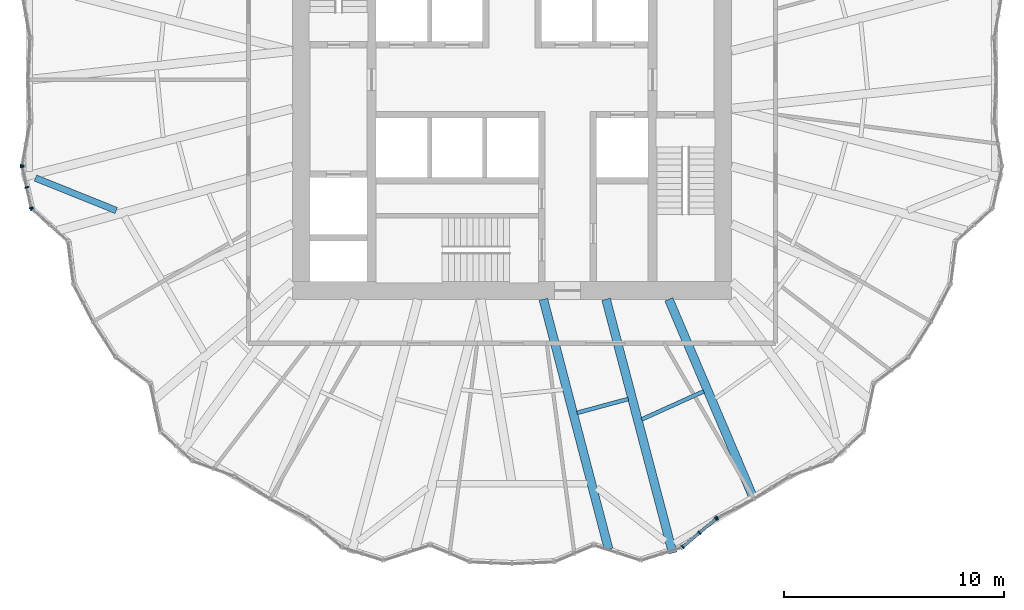
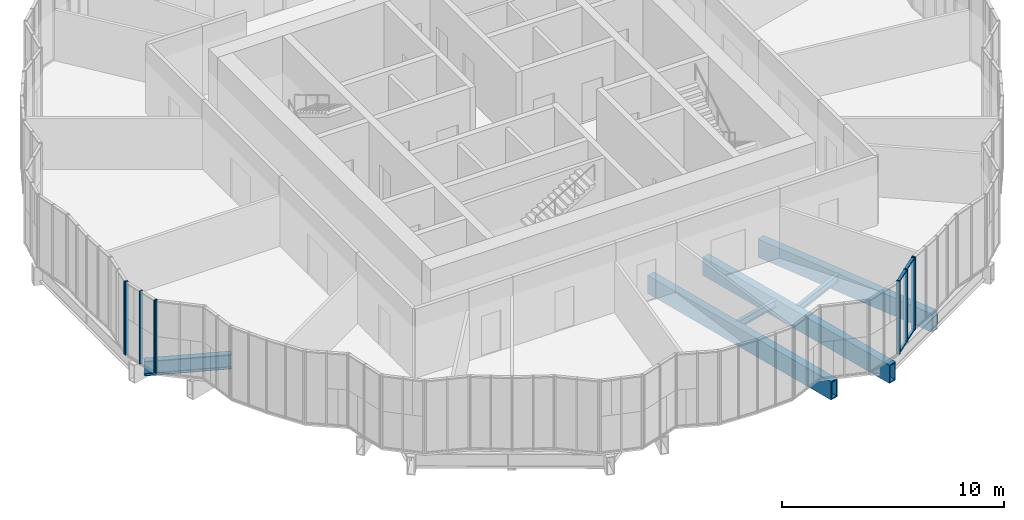
# One storey, part 3 of 23: 13 members, 6 beams, 5 elements without a shape of their own.
"""IFC4 building model written with IfcOpenShell, lengths in metres."""

import ifcopenshell
import ifcopenshell.guid

model = None  # the IFC model being written
_history = None  # IfcOwnerHistory: only IFC2X3 demands one
_inside = {}  # id of a spatial element -> (the spatial element, [elements in it])
_under = {}  # id of a project, library or spatial element -> (it, [spatial elements below it])
_declared = {}  # id of a project -> (the project, [libraries it declares])
_typed = {}  # id of a type object -> (the type object, [elements of that type])
_made_of = {}  # id of a material, layer set ... -> (it, [elements and type objects made of it])


def new_model(schema):
    """Start an empty IFC model of exactly this schema.

    Asked for "IFC4X3", IfcOpenShell would pick the latest addendum, in which some entities
    have other attributes; the version numbers below select the first issue.
    IFC2X3 requires an IfcOwnerHistory on every rooted entity: one is made here for all.
    """
    global model, _history
    if schema == "IFC4X3":
        model = ifcopenshell.file(schema_version=(4, 3, 0, 0))
    else:
        model = ifcopenshell.file(schema=schema)
    _inside.clear()
    _under.clear()
    _declared.clear()
    _typed.clear()
    _made_of.clear()
    _history = None
    if model.schema == "IFC2X3":
        org = make("IfcOrganization", Name="unknown")
        user = make(
            "IfcPersonAndOrganization",
            ThePerson=make("IfcPerson", FamilyName="unknown"),
            TheOrganization=org,
        )
        app = make(
            "IfcApplication",
            ApplicationDeveloper=org,
            Version="unknown",
            ApplicationFullName="unknown",
            ApplicationIdentifier="unknown",
        )
        _history = make(
            "IfcOwnerHistory",
            OwningUser=user,
            OwningApplication=app,
            ChangeAction="ADDED",
            CreationDate=0,
        )
    return model


def make(cls, **values):
    """One entity of the class cls with the attributes given. An attribute that is None is left unset."""
    return model.create_entity(
        cls, **{name: value for name, value in values.items() if value is not None}
    )


def rooted(cls, **values):
    """An entity with a GlobalId (a new one), such as an element, a storey or a relation."""
    return make(cls, GlobalId=ifcopenshell.guid.new(), OwnerHistory=_history, **values)


def si_unit(unit_type, name, prefix=None):
    """IfcSIUnit, for example si_unit("LENGTHUNIT", "METRE", prefix="MILLI")."""
    return make("IfcSIUnit", UnitType=unit_type, Prefix=prefix, Name=name)


def assignment(units):
    """IfcUnitAssignment: the units of a project."""
    return None if units is None else make("IfcUnitAssignment", Units=units)


def point(xyz):
    """IfcCartesianPoint."""
    return None if xyz is None else make("IfcCartesianPoint", Coordinates=xyz)


def direction(xyz):
    """IfcDirection."""
    return None if xyz is None else make("IfcDirection", DirectionRatios=xyz)


def frame(location, z_axis=None, x_axis=None):
    """IfcAxis2Placement3D, a coordinate frame: its origin and axes. An axis left out is left unset."""
    return make(
        "IfcAxis2Placement3D",
        Location=point(location),
        Axis=direction(z_axis),
        RefDirection=direction(x_axis),
    )


def frame_2d(location, x_axis=None):
    """IfcAxis2Placement2D, a coordinate frame in the plane: its origin and x axis."""
    return make(
        "IfcAxis2Placement2D", Location=point(location), RefDirection=direction(x_axis)
    )


def origin():
    """The frame at (0, 0, 0) with its axes left unset."""
    return frame((0.0, 0.0, 0.0))


def origin_2d():
    """The frame at (0, 0) in the plane with its x axis left unset."""
    return frame_2d((0.0, 0.0))


def place(relative_to, where):
    """IfcLocalPlacement: puts the frame where relative to a parent placement (None: the world)."""
    return make(
        "IfcLocalPlacement", PlacementRelTo=relative_to, RelativePlacement=where
    )


def context(
    kind, dimensions, precision=None, world=None, true_north=None, identifier=None
):
    """IfcGeometricRepresentationContext, for example the 3D "Model" context."""
    return make(
        "IfcGeometricRepresentationContext",
        ContextIdentifier=identifier,
        ContextType=kind,
        CoordinateSpaceDimension=dimensions,
        Precision=precision,
        WorldCoordinateSystem=world,
        TrueNorth=true_north,
    )


def subcontext(parent, identifier, kind, view, scale=None):
    """IfcGeometricRepresentationSubContext, for example "Body" below "Model"."""
    return make(
        "IfcGeometricRepresentationSubContext",
        ContextIdentifier=identifier,
        ContextType=kind,
        ParentContext=parent,
        TargetScale=scale,
        TargetView=view,
    )


def project(units=None, contexts=None):
    """IfcProject with its units and contexts."""
    return rooted(
        "IfcProject",
        Name="project",
        RepresentationContexts=contexts,
        UnitsInContext=assignment(units),
    )


def spatial(cls, under=None, at=None, **own):
    """A site, building, storey or space (cls), placed at a placement, below another one or the project."""
    s = rooted(cls, ObjectPlacement=at, **own)
    if under is not None:
        _under.setdefault(under.id(), (under, []))[1].append(s)
    return s


def profile(cls, at=None, kind="AREA", **sizes):
    """A parametric profile (cls). Its sizes go by their IFC names, for example OverallWidth=200.0."""
    return make(cls, ProfileType=kind, Position=at, **sizes)


def rectangle(**sizes):
    """IfcRectangleProfileDef."""
    return profile("IfcRectangleProfileDef", **sizes)


def hollow_rectangle(**sizes):
    """IfcRectangleHollowProfileDef."""
    return profile("IfcRectangleHollowProfileDef", **sizes)


def i_section(**sizes):
    """IfcIShapeProfileDef."""
    return profile("IfcIShapeProfileDef", **sizes)


def extrude(swept, where, along, depth):
    """IfcExtrudedAreaSolid: the profile swept, set in the frame where, extruded along a direction by depth."""
    return make(
        "IfcExtrudedAreaSolid",
        SweptArea=swept,
        Position=where,
        ExtrudedDirection=direction(along),
        Depth=depth,
    )


def shape(context_of_items, identifier, shape_type, items):
    """IfcShapeRepresentation: the items that make up one representation, for example the "Body"."""
    return make(
        "IfcShapeRepresentation",
        ContextOfItems=context_of_items,
        RepresentationIdentifier=identifier,
        RepresentationType=shape_type,
        Items=items,
    )


def material(Name=None, Category=None):
    """IfcMaterial."""
    return make("IfcMaterial", Name=Name, Category=Category)


def material_profile(
    of_material, cross_section, Name=None, Category=None, Priority=None
):
    """IfcMaterialProfile: a cross section and its material."""
    return make(
        "IfcMaterialProfile",
        Name=Name,
        Material=of_material,
        Profile=cross_section,
        Priority=Priority,
        Category=Category,
    )


def profile_set(profiles, Name=None, composite=None):
    """IfcMaterialProfileSet."""
    return make(
        "IfcMaterialProfileSet",
        Name=Name,
        MaterialProfiles=profiles,
        CompositeProfile=composite,
    )


def made_of(thing, what):
    """Note that an element or type object is made of a material, layer set ...; save() writes the relation."""
    if what is not None:
        _made_of.setdefault(what.id(), (what, []))[1].append(thing)
    return thing


def type_object(cls, material=None, **own):
    """A type object (cls), such as IfcWallType, which elements share."""
    return made_of(rooted(cls, **own), material)


def element(
    cls,
    number,
    at=None,
    inside=None,
    cuts=None,
    type_object=None,
    material=None,
    context=None,
    identifier="Body",
    shape_type=None,
    held_by="IfcProductDefinitionShape",
    body=None,
    shapes=None,
    **own,
):
    """One element of the class cls, such as IfcWall. Its Tag is "e" and its number.

    at: its placement. inside: the storey or other place that contains it. cuts: it is an
    opening in that element (IfcRelVoidsElement). A single representation is given by context,
    identifier, shape_type and body (its items); several are given by shapes. held_by: the class
    of the entity that holds the representations. save() writes the other relations.
    """
    e = rooted(cls, Tag="e%d" % number, ObjectPlacement=at, **own)
    if body is not None:
        shapes = [shape(context, identifier, shape_type, body)]
    if shapes is not None:
        e.Representation = make(held_by, Representations=shapes)
    if inside is not None:
        _inside.setdefault(inside.id(), (inside, []))[1].append(e)
    if cuts is not None:
        rooted(
            "IfcRelVoidsElement", RelatingBuildingElement=cuts, RelatedOpeningElement=e
        )
    if type_object is not None:
        _typed.setdefault(type_object.id(), (type_object, []))[1].append(e)
    return made_of(e, material)


def aggregate(whole, parts):
    """IfcRelAggregates: a whole, such as a stair, and the parts it consists of."""
    return rooted("IfcRelAggregates", RelatingObject=whole, RelatedObjects=parts)


def save(model, path):
    """Write the relations noted so far, then the file.

    IfcRelAggregates (storeys below a building ...), IfcRelContainedInSpatialStructure (elements
    in a storey), IfcRelDefinesByType, IfcRelAssociatesMaterial and IfcRelDeclares: one each for
    every whole, place, type object, material and project.
    """
    for whole, parts in _under.values():
        aggregate(whole, parts)
    for where, things in _inside.values():
        rooted(
            "IfcRelContainedInSpatialStructure",
            RelatedElements=things,
            RelatingStructure=where,
        )
    for kind, things in _typed.values():
        rooted("IfcRelDefinesByType", RelatedObjects=things, RelatingType=kind)
    for what, things in _made_of.values():
        rooted("IfcRelAssociatesMaterial", RelatedObjects=things, RelatingMaterial=what)
    for by, libraries in _declared.values():
        rooted("IfcRelDeclares", RelatingContext=by, RelatedDefinitions=libraries)
    model.write(path)


model = new_model("IFC4")

# Units and contexts
model_context = context("Model", 3, precision=1e-05, world=origin(), true_north=direction((0.0, 1.0)))
body_context = subcontext(model_context, "Body", "Model", "MODEL_VIEW")
ifc_project = project(units=[si_unit("LENGTHUNIT", "METRE"), si_unit("AREAUNIT", "SQUARE_METRE"), si_unit("VOLUMEUNIT", "CUBIC_METRE"), si_unit("PLANEANGLEUNIT", "RADIAN"), si_unit("MASSUNIT", "GRAM", prefix="KILO")], contexts=[model_context])

# Site, building, storey
site_placement = place(None, origin())
site = spatial("IfcSite", under=ifc_project, at=site_placement, CompositionType="ELEMENT")
building_placement = place(site_placement, origin())
building = spatial("IfcBuilding", under=site, at=building_placement, Name="Golbaran Civic Tower", CompositionType="ELEMENT")
storey_placement = place(building_placement, frame((0.0, 0.0, 33.0)))
storey = spatial("IfcBuildingStorey", under=building, at=storey_placement, Name="L07", CompositionType="ELEMENT", Elevation=33.0)

# Beams
ifc_material_1 = material(Name="Steel S355", Category="steel")
ifc_material_profile_1 = material_profile(ifc_material_1, i_section(OverallWidth=0.300048828125, OverallDepth=0.800048828125, WebThickness=0.017578125, FlangeThickness=0.032958984375, FilletRadius=0.030029296875, at=origin_2d()), Name="HEB 800")
ifc_profile_set_1 = profile_set([ifc_material_profile_1], Name="Steel S355")
beam_type_1 = type_object("IfcBeamType", Name="EDGE BEAM HEB 800", PredefinedType="BEAM", material=ifc_profile_set_1)
beam_1_placement = place(storey_placement, frame((-21.70068359375, -4.47705078125, -0.60009765625), z_axis=(0.927675405766, -0.373387655845, 0.0), x_axis=(0.373387655845, 0.927675405766, 0.0)))
element("IfcBeam", 1, at=beam_1_placement, inside=storey, type_object=beam_type_1, Name="Edge beam 191.36 L07", PredefinedType="BEAM", context=body_context, shape_type="SweptSolid", body=[
    extrude(i_section(OverallWidth=0.300048828125, OverallDepth=0.800048828125, WebThickness=0.017578125, FlangeThickness=0.032958984375, FilletRadius=0.030029296875, at=origin_2d()), origin(), (0.0, 0.0, 1.0), 3.9609375),
])
ifc_material_profile_2 = material_profile(ifc_material_1, i_section(OverallWidth=0.179931640625, OverallDepth=0.39990234375, WebThickness=0.008544921875, FlangeThickness=0.013427734375, FilletRadius=0.02099609375, at=origin_2d()), Name="IPE 400")
ifc_profile_set_2 = profile_set([ifc_material_profile_2], Name="Steel S355")
beam_type_2 = type_object("IfcBeamType", Name="FLOOR INFILL BEAM IPE 400", PredefinedType="BEAM", material=ifc_profile_set_2)
beam_2_placement = place(storey_placement, frame((2.96533203125, -15.173095703125, -0.39990234375), z_axis=(0.965080908902, 0.261951978945, 0.0), x_axis=(-0.261951978945, 0.965080908902, 0.0)))
element("IfcBeam", 2, at=beam_2_placement, inside=storey, type_object=beam_type_2, Name="Infill beam 285.19 L07", PredefinedType="BEAM", context=body_context, shape_type="SweptSolid", body=[
    extrude(i_section(OverallWidth=0.179931640625, OverallDepth=0.39990234375, WebThickness=0.008544921875, FlangeThickness=0.013427734375, FilletRadius=0.02099609375, at=origin_2d()), origin(), (0.0, 0.0, 1.0), 2.4111328125),
])
beam_3_placement = place(storey_placement, frame((5.908203125, -15.47021484375, -0.39990234375), z_axis=(0.91125999693, 0.411831540798, 0.0), x_axis=(-0.411831540798, 0.91125999693, 0.0)))
element("IfcBeam", 3, at=beam_3_placement, inside=storey, type_object=beam_type_2, Name="Infill beam 294.32 L07", PredefinedType="BEAM", context=body_context, shape_type="SweptSolid", body=[
    extrude(i_section(OverallWidth=0.179931640625, OverallDepth=0.39990234375, WebThickness=0.008544921875, FlangeThickness=0.013427734375, FilletRadius=0.02099609375, at=origin_2d()), origin(), (0.0, 0.0, 1.0), 3.099365234375),
])

# Curtain wall, member
ifc_material_2 = material(Name="Aluminium and glass", Category="aluminium")
curtain_wall_type = type_object("IfcCurtainWallType", Name="INNER SKIN CURTAIN WALL", PredefinedType="NOTDEFINED", material=ifc_material_2)
curtain_wall_1_placement = place(storey_placement, origin())
curtain_wall_1 = element("IfcCurtainWall", 4, at=curtain_wall_1_placement, inside=storey, type_object=curtain_wall_type, Name="Inner skin L07 facet 38 CW1", ObjectType="INNER SKIN", PredefinedType="USERDEFINED")
ifc_material_3 = material(Name="Aluminium", Category="aluminium")
ifc_material_profile_3 = material_profile(ifc_material_3, rectangle(XDim=0.179931640625, YDim=0.06494140625, at=origin_2d()), Name="INNER SKIN CURTAIN WALL MULLION")
ifc_profile_set_3 = profile_set([ifc_material_profile_3], Name="Aluminium")
member_type_1 = type_object("IfcMemberType", Name="INNER SKIN CURTAIN WALL MULLION", PredefinedType="MULLION", material=ifc_profile_set_3)
member_1_placement = place(storey_placement, frame((-22.31494140625, -3.90380859375, 0.0), z_axis=(0.0, 0.0, 1.0), x_axis=(0.984440805521, -0.175716534296, 0.0)))
member_1 = element("IfcMember", 5, at=member_1_placement, type_object=member_type_1, Name="CW1 mullion 3", PredefinedType="MULLION", context=body_context, shape_type="SweptSolid", body=[
    extrude(rectangle(XDim=0.179931640625, YDim=0.06494140625, at=origin_2d()), origin(), (0.0, 0.0, 1.0), 4.0),
])
aggregate(curtain_wall_1, [member_1])

# Curtain wall, members
curtain_wall_2_placement = place(storey_placement, origin())
curtain_wall_2 = element("IfcCurtainWall", 6, at=curtain_wall_2_placement, inside=storey, type_object=curtain_wall_type, Name="Inner skin L07 facet 39 CW1", ObjectType="INNER SKIN", PredefinedType="USERDEFINED")
member_2_placement = place(storey_placement, frame((-22.313720703125, -3.967529296875, 0.0), z_axis=(0.0, 0.0, 1.0), x_axis=(0.976296007127, 0.216439613904, 0.0)))
member_2 = element("IfcMember", 7, at=member_2_placement, type_object=member_type_1, Name="CW1 mullion 1", PredefinedType="MULLION", context=body_context, shape_type="SweptSolid", body=[
    extrude(rectangle(XDim=0.179931640625, YDim=0.06494140625, at=origin_2d()), origin(), (0.0, 0.0, 1.0), 4.0),
])
member_3_placement = place(storey_placement, frame((-22.106689453125, -4.90087890625, 0.0), z_axis=(0.0, 0.0, 1.0), x_axis=(0.976296007127, 0.216439613904, 0.0)))
member_3 = element("IfcMember", 8, at=member_3_placement, type_object=member_type_1, Name="CW1 mullion 2", PredefinedType="MULLION", context=body_context, shape_type="SweptSolid", body=[
    extrude(rectangle(XDim=0.179931640625, YDim=0.06494140625, at=origin_2d()), origin(), (0.0, 0.0, 1.0), 4.0),
])
member_4_placement = place(storey_placement, frame((-21.899658203125, -5.83447265625, 0.0), z_axis=(0.0, 0.0, 1.0), x_axis=(0.976296007127, 0.216439613904, 0.0)))
member_4 = element("IfcMember", 9, at=member_4_placement, type_object=member_type_1, Name="CW1 mullion 3", PredefinedType="MULLION", context=body_context, shape_type="SweptSolid", body=[
    extrude(rectangle(XDim=0.179931640625, YDim=0.06494140625, at=origin_2d()), origin(), (0.0, 0.0, 1.0), 4.0),
])
aggregate(curtain_wall_2, [member_2, member_3, member_4])

# Curtain wall, member
curtain_wall_3_placement = place(storey_placement, origin())
curtain_wall_3 = element("IfcCurtainWall", 10, at=curtain_wall_3_placement, inside=storey, type_object=curtain_wall_type, Name="Inner skin L07 facet 40 CW1", ObjectType="INNER SKIN", PredefinedType="USERDEFINED")
member_5_placement = place(storey_placement, frame((-21.86865234375, -5.887939453125, 0.0), z_axis=(0.0, 0.0, 1.0), x_axis=(0.668420309882, 0.743783765174, 0.0)))
member_5 = element("IfcMember", 11, at=member_5_placement, type_object=member_type_1, Name="CW1 mullion 1", PredefinedType="MULLION", context=body_context, shape_type="SweptSolid", body=[
    extrude(rectangle(XDim=0.179931640625, YDim=0.06494140625, at=origin_2d()), origin(), (0.0, 0.0, 1.0), 4.0),
])
aggregate(curtain_wall_3, [member_5])

# Curtain wall, members
curtain_wall_4_placement = place(storey_placement, origin())
curtain_wall_4 = element("IfcCurtainWall", 12, at=curtain_wall_4_placement, inside=storey, type_object=curtain_wall_type, Name="Inner skin L07 facet 59 CW1", ObjectType="INNER SKIN", PredefinedType="USERDEFINED")
member_6_placement = place(storey_placement, frame((7.77685546875, -21.277099609375, 0.0), z_axis=(0.0, 0.0, 1.0), x_axis=(-0.644395385113, 0.764692479135, 0.0)))
member_6 = element("IfcMember", 13, at=member_6_placement, type_object=member_type_1, Name="CW1 mullion 1", PredefinedType="MULLION", context=body_context, shape_type="SweptSolid", body=[
    extrude(rectangle(XDim=0.179931640625, YDim=0.06494140625, at=origin_2d()), origin(), (0.0, 0.0, 1.0), 4.0),
])
member_7_placement = place(storey_placement, frame((8.5341796875, -20.638916015625, 0.0), z_axis=(0.0, 0.0, 1.0), x_axis=(-0.644395385113, 0.764692479135, 0.0)))
member_7 = element("IfcMember", 14, at=member_7_placement, type_object=member_type_1, Name="CW1 mullion 2", PredefinedType="MULLION", context=body_context, shape_type="SweptSolid", body=[
    extrude(rectangle(XDim=0.179931640625, YDim=0.06494140625, at=origin_2d()), origin(), (0.0, 0.0, 1.0), 4.0),
])
member_8_placement = place(storey_placement, frame((9.291748046875, -20.00048828125, 0.0), z_axis=(0.0, 0.0, 1.0), x_axis=(-0.644395385113, 0.764692479135, 0.0)))
member_8 = element("IfcMember", 15, at=member_8_placement, type_object=member_type_1, Name="CW1 mullion 3", PredefinedType="MULLION", context=body_context, shape_type="SweptSolid", body=[
    extrude(rectangle(XDim=0.179931640625, YDim=0.06494140625, at=origin_2d()), origin(), (0.0, 0.0, 1.0), 4.0),
])

# Curtain wall, member
curtain_wall_5_placement = place(storey_placement, origin())
curtain_wall_5 = element("IfcCurtainWall", 16, at=curtain_wall_5_placement, inside=storey, type_object=curtain_wall_type, Name="Inner skin L07 facet 60 CW1", ObjectType="INNER SKIN", PredefinedType="USERDEFINED")
member_9_placement = place(storey_placement, frame((9.345458984375, -19.964599609375, 0.0), z_axis=(0.0, 0.0, 1.0), x_axis=(-0.461748613297, 0.887010833146, 0.0)))
member_9 = element("IfcMember", 17, at=member_9_placement, type_object=member_type_1, Name="CW1 mullion 1", PredefinedType="MULLION", context=body_context, shape_type="SweptSolid", body=[
    extrude(rectangle(XDim=0.179931640625, YDim=0.06494140625, at=origin_2d()), origin(), (0.0, 0.0, 1.0), 4.0),
])
aggregate(curtain_wall_5, [member_9])

# Member
ifc_material_profile_4 = material_profile(ifc_material_3, rectangle(XDim=0.139892578125, YDim=0.06494140625, at=origin_2d()), Name="INNER SKIN CURTAIN WALL TRANSOM")
ifc_profile_set_4 = profile_set([ifc_material_profile_4], Name="Aluminium")
member_type_2 = type_object("IfcMemberType", Name="INNER SKIN CURTAIN WALL TRANSOM", PredefinedType="USERDEFINED", material=ifc_profile_set_4)
member_10_placement = place(storey_placement, frame((7.801513671875, -21.25634765625, 0.032470703125), z_axis=(0.764664986207, 0.644428009066, 0.0), x_axis=(-0.644428009066, 0.764664986207, 0.0)))
member_10 = element("IfcMember", 18, at=member_10_placement, type_object=member_type_2, Name="CW1 transom 1.1", ObjectType="TRANSOM", PredefinedType="USERDEFINED", context=body_context, shape_type="SweptSolid", body=[
    extrude(rectangle(XDim=0.139892578125, YDim=0.06494140625, at=origin_2d()), origin(), (0.0, 0.0, 1.0), 0.926025390625),
])

member_11_placement = place(storey_placement, frame((7.801513671875, -21.25634765625, 3.967529296875), z_axis=(0.764664986207, 0.644428009066, 0.0), x_axis=(-0.644428009066, 0.764664986207, 0.0)))
member_11 = element("IfcMember", 19, at=member_11_placement, type_object=member_type_2, Name="CW1 transom 1.2", ObjectType="TRANSOM", PredefinedType="USERDEFINED", context=body_context, shape_type="SweptSolid", body=[
    extrude(rectangle(XDim=0.139892578125, YDim=0.06494140625, at=origin_2d()), origin(), (0.0, 0.0, 1.0), 0.926025390625),
])

member_12_placement = place(storey_placement, frame((8.55908203125, -20.617919921875, 0.032470703125), z_axis=(0.76468542423, 0.644403756949, 0.0), x_axis=(-0.644403756949, 0.76468542423, 0.0)))
member_12 = element("IfcMember", 20, at=member_12_placement, type_object=member_type_2, Name="CW1 transom 2.1", ObjectType="TRANSOM", PredefinedType="USERDEFINED", context=body_context, shape_type="SweptSolid", body=[
    extrude(rectangle(XDim=0.139892578125, YDim=0.06494140625, at=origin_2d()), origin(), (0.0, 0.0, 1.0), 0.925537109375),
])

member_13_placement = place(storey_placement, frame((8.55908203125, -20.617919921875, 3.967529296875), z_axis=(0.76468542423, 0.644403756949, 0.0), x_axis=(-0.644403756949, 0.76468542423, 0.0)))
member_13 = element("IfcMember", 21, at=member_13_placement, type_object=member_type_2, Name="CW1 transom 2.2", ObjectType="TRANSOM", PredefinedType="USERDEFINED", context=body_context, shape_type="SweptSolid", body=[
    extrude(rectangle(XDim=0.139892578125, YDim=0.06494140625, at=origin_2d()), origin(), (0.0, 0.0, 1.0), 0.925537109375),
])

aggregate(curtain_wall_4, [member_6, member_7, member_8, member_10, member_11, member_12, member_13])

# Beams
ifc_material_profile_5 = material_profile(ifc_material_1, hollow_rectangle(XDim=0.39990234375, YDim=1.0, WallThickness=0.050048828125, at=origin_2d()), Name="BOX 1000x400x50")
ifc_profile_set_5 = profile_set([ifc_material_profile_5], Name="Steel S355")
beam_type_3 = type_object("IfcBeamType", Name="RADIAL FLOOR BEAM BOX 1000x400x50", PredefinedType="BEAM", material=ifc_profile_set_5)
beam_4_placement = place(storey_placement, frame((1.428466796875, -10.0, -0.7099609375), z_axis=(0.252669542688, -0.967552635363, 0.0), x_axis=(0.967552635363, 0.252669542688, 0.0)))
element("IfcBeam", 22, at=beam_4_placement, inside=storey, type_object=beam_type_3, Name="Radial beam 281.74 L07", PredefinedType="BEAM", context=body_context, shape_type="SweptSolid", body=[
    extrude(hollow_rectangle(XDim=0.39990234375, YDim=1.0, WallThickness=0.050048828125, at=origin_2d()), origin(), (0.0, 0.0, 1.0), 11.75830078125),
])
beam_5_placement = place(storey_placement, frame((4.28564453125, -10.0, -0.7099609375), z_axis=(0.25397743751, -0.967210143266, 0.0), x_axis=(0.967210143266, 0.25397743751, 0.0)))
element("IfcBeam", 23, at=beam_5_placement, inside=storey, type_object=beam_type_3, Name="Radial beam 288.64 L07", PredefinedType="BEAM", context=body_context, shape_type="SweptSolid", body=[
    extrude(hollow_rectangle(XDim=0.39990234375, YDim=1.0, WallThickness=0.050048828125, at=origin_2d()), origin(), (0.0, 0.0, 1.0), 11.951416015625),
])
ifc_material_profile_6 = material_profile(ifc_material_1, hollow_rectangle(XDim=0.39990234375, YDim=1.0, WallThickness=0.0400390625, at=origin_2d()), Name="BOX 1000x400x40")
ifc_profile_set_6 = profile_set([ifc_material_profile_6], Name="Steel S355")
beam_type_4 = type_object("IfcBeamType", Name="SECONDARY FLOOR BEAM BOX 1000x400x40", PredefinedType="BEAM", material=ifc_profile_set_6)
beam_6_placement = place(storey_placement, frame((7.142822265625, -10.0, -0.7099609375), z_axis=(0.391659612274, -0.920110182594, 0.0), x_axis=(0.920110182594, 0.391659612274, 0.0)))
element("IfcBeam", 24, at=beam_6_placement, inside=storey, type_object=beam_type_4, Name="Secondary beam 300.00 L07", PredefinedType="BEAM", context=body_context, shape_type="SweptSolid", body=[
    extrude(hollow_rectangle(XDim=0.39990234375, YDim=1.0, WallThickness=0.0400390625, at=origin_2d()), origin(), (0.0, 0.0, 1.0), 9.810791015625),
])

save(model, "model.ifc")
